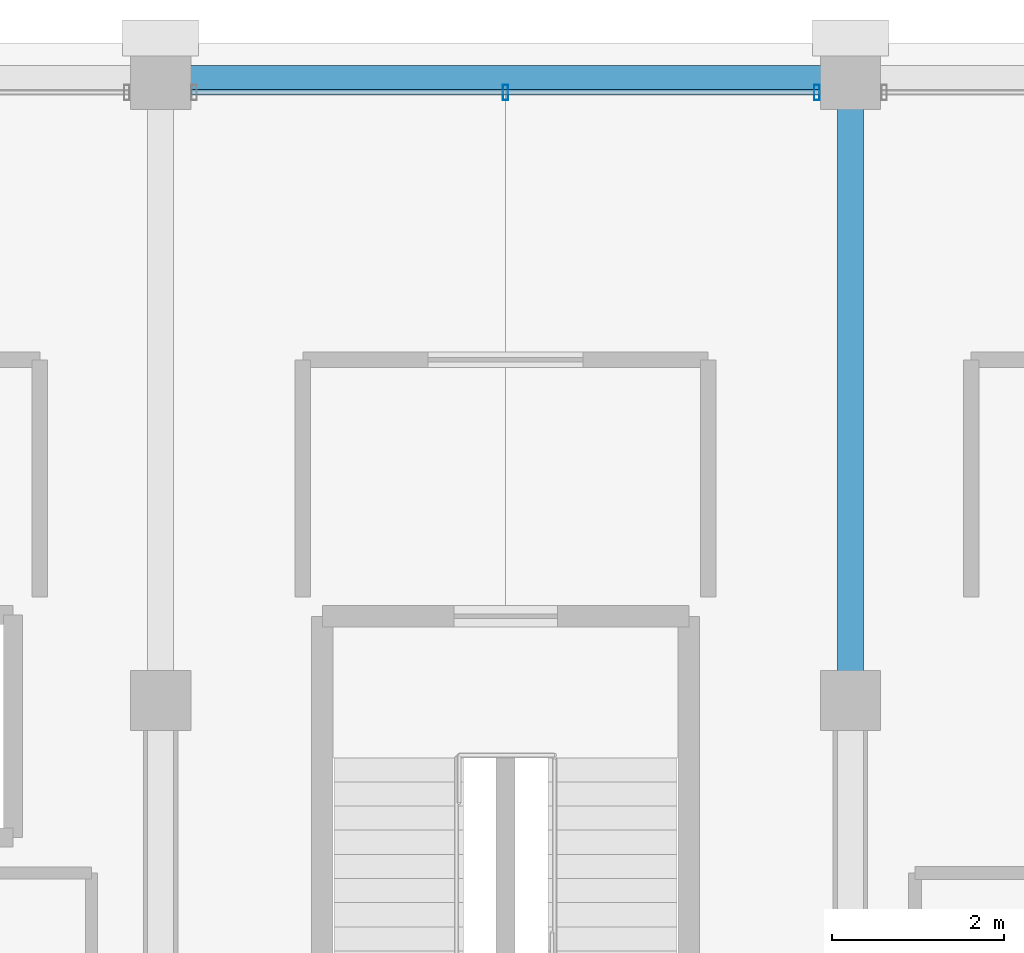
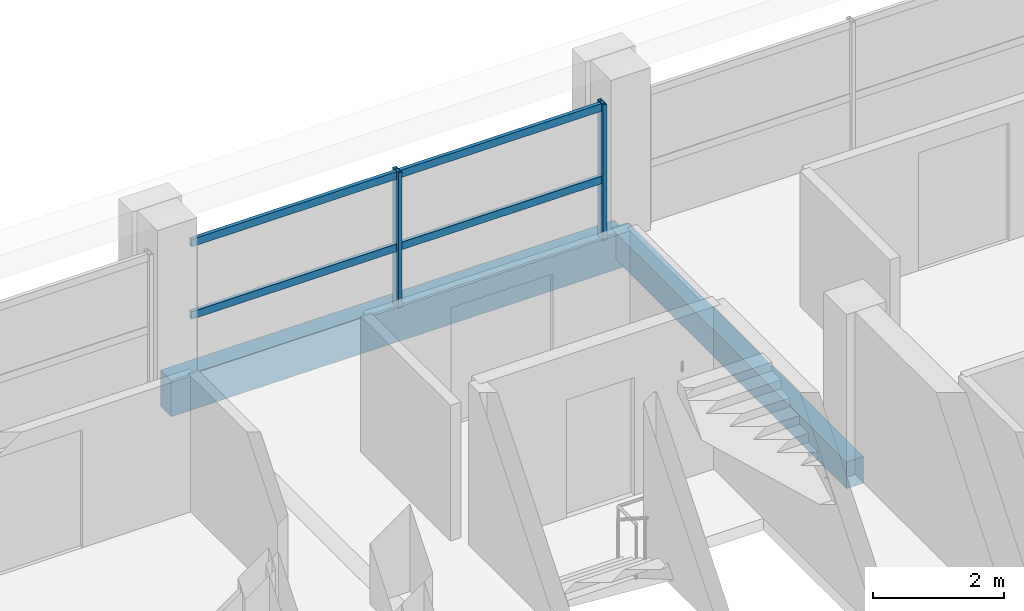
# One storey, part 13 of 21: 4 members, 2 beams, 1 element without a shape of its own.
"""IFC4 building model written with IfcOpenShell, lengths in metres."""

from ifc_helpers import new_model, si_unit, direction, frame, origin, origin_2d, place, context, subcontext, project, spatial, rectangle, hollow_rectangle, extrude, material, material_profile, profile_set, type_object, element, aggregate, save


model = new_model("IFC4")

# Units and contexts
model_context = context("Model", 3, precision=1e-05, world=origin(), true_north=direction((0.0, 1.0)))
body_context = subcontext(model_context, "Body", "Model", "MODEL_VIEW")
ifc_project = project(units=[si_unit("LENGTHUNIT", "METRE"), si_unit("AREAUNIT", "SQUARE_METRE"), si_unit("VOLUMEUNIT", "CUBIC_METRE"), si_unit("PLANEANGLEUNIT", "RADIAN"), si_unit("MASSUNIT", "GRAM", prefix="KILO")], contexts=[model_context])

# Site, building, storey
site_placement = place(None, origin())
site = spatial("IfcSite", under=ifc_project, at=site_placement, CompositionType="ELEMENT")
building_placement = place(site_placement, origin())
building = spatial("IfcBuilding", under=site, at=building_placement, Name="Akrevak Sports Hall", CompositionType="ELEMENT")
storey_placement = place(building_placement, frame((0.0, 0.0, 53.550048828125)))
storey = spatial("IfcBuildingStorey", under=building, at=storey_placement, Name="L13", CompositionType="ELEMENT", Elevation=53.550048828125)

# Curtain wall, members
ifc_material_1 = material(Name="Anodized Bronze Aluminium & Low-E Glass", Category="aluminium")
curtain_wall_type = type_object("IfcCurtainWallType", Name="ARC-CW-TWR-68x30", PredefinedType="NOTDEFINED", material=ifc_material_1)
curtain_wall_placement = place(storey_placement, origin())
curtain_wall = element("IfcCurtainWall", 1, at=curtain_wall_placement, inside=storey, type_object=curtain_wall_type, Name="Curtain Wall CW-L13-N20", PredefinedType="NOTDEFINED")
ifc_material_2 = material(Name="Anodized Bronze Aluminium", Category="aluminium")
ifc_material_profile_1 = material_profile(ifc_material_2, hollow_rectangle(XDim=0.06494140625, YDim=0.179931640625, WallThickness=0.00390625, at=origin_2d()), Name="CWM 65x180", Category="aluminium")
ifc_profile_set_1 = profile_set([ifc_material_profile_1], Name="Anodized Bronze Aluminium")
member_type_1 = type_object("IfcMemberType", Name="ARC-CWM-65x140", PredefinedType="MULLION", material=ifc_profile_set_1)
member_1_placement = place(storey_placement, frame((83.610107421875, 69.449951171875, 0.0), z_axis=(0.0, 0.0, 1.0), x_axis=(-1.0, 0.0, 0.0)))
member_1 = element("IfcMember", 2, at=member_1_placement, type_object=member_type_1, Name="Curtain Wall Mullion CW-L13-N20-M1", PredefinedType="MULLION", context=body_context, shape_type="SweptSolid", body=[
    extrude(hollow_rectangle(XDim=0.06494140625, YDim=0.179931640625, WallThickness=0.00390625, at=origin_2d()), origin(), (0.0, 0.0, 1.0), 2.530029296875),
])
member_2_placement = place(storey_placement, frame((80.0, 69.449951171875, 0.0), z_axis=(0.0, 0.0, 1.0), x_axis=(-1.0, 0.0, 0.0)))
member_2 = element("IfcMember", 3, at=member_2_placement, type_object=member_type_1, Name="Curtain Wall Mullion CW-L13-N20-M2", PredefinedType="MULLION", context=body_context, shape_type="SweptSolid", body=[
    extrude(hollow_rectangle(XDim=0.06494140625, YDim=0.179931640625, WallThickness=0.00390625, at=origin_2d()), origin(), (0.0, 0.0, 1.0), 2.530029296875),
])
ifc_material_profile_2 = material_profile(ifc_material_2, hollow_rectangle(XDim=0.06494140625, YDim=0.139892578125, WallThickness=0.00390625, at=origin_2d()), Name="CWT 65x140", Category="aluminium")
ifc_profile_set_2 = profile_set([ifc_material_profile_2], Name="Anodized Bronze Aluminium")
member_type_2 = type_object("IfcMemberType", Name="ARC-CWT-65x110", PredefinedType="USERDEFINED", material=ifc_profile_set_2)
member_3_placement = place(storey_placement, frame((83.64990234375, 69.449951171875, 1.099853515625), z_axis=(-1.0, 0.0, 0.0), x_axis=(0.0, -1.0, 0.0)))
member_3 = element("IfcMember", 4, at=member_3_placement, type_object=member_type_2, Name="Curtain Wall Transom CW-L13-N20-T1", ObjectType="TRANSOM", PredefinedType="USERDEFINED", context=body_context, shape_type="SweptSolid", body=[
    extrude(hollow_rectangle(XDim=0.06494140625, YDim=0.139892578125, WallThickness=0.00390625, at=origin_2d()), origin(), (0.0, 0.0, 1.0), 7.2998046875),
])
member_4_placement = place(storey_placement, frame((83.64990234375, 69.449951171875, 2.449951171875), z_axis=(-1.0, 0.0, 0.0), x_axis=(0.0, -1.0, 0.0)))
member_4 = element("IfcMember", 5, at=member_4_placement, type_object=member_type_2, Name="Curtain Wall Transom CW-L13-N20-T2", ObjectType="TRANSOM", PredefinedType="USERDEFINED", context=body_context, shape_type="SweptSolid", body=[
    extrude(hollow_rectangle(XDim=0.06494140625, YDim=0.139892578125, WallThickness=0.00390625, at=origin_2d()), origin(), (0.0, 0.0, 1.0), 7.2998046875),
])
aggregate(curtain_wall, [member_1, member_2, member_3, member_4])

# Beams
ifc_material_3 = material(Name="Concrete C40/50", Category="concrete")
ifc_material_profile_3 = material_profile(ifc_material_3, rectangle(XDim=0.300048828125, YDim=0.5, at=origin_2d()), Name="BM 300x500", Category="concrete")
ifc_profile_set_3 = profile_set([ifc_material_profile_3], Name="Concrete C40/50")
beam_type_1 = type_object("IfcBeamType", Name="STR-BM-RC300x500", PredefinedType="BEAM", material=ifc_profile_set_3)
beam_1_placement = place(storey_placement, frame((84.0, 62.39990234375, -0.25), z_axis=(0.0, 1.0, 0.0), x_axis=(-1.0, 0.0, 0.0)))
element("IfcBeam", 6, at=beam_1_placement, inside=storey, type_object=beam_type_1, Name="Girder 12/J-K (L13)", PredefinedType="BEAM", context=body_context, shape_type="SweptSolid", body=[
    extrude(rectangle(XDim=0.300048828125, YDim=0.5, at=origin_2d()), origin(), (0.0, 0.0, 1.0), 7.2001953125),
])
ifc_material_profile_4 = material_profile(ifc_material_3, rectangle(XDim=0.320068359375, YDim=0.679931640625, at=origin_2d()), Name="SPD 320x680", Category="concrete")
ifc_profile_set_4 = profile_set([ifc_material_profile_4], Name="Concrete C40/50")
beam_type_2 = type_object("IfcBeamType", Name="STR-SPD-RC320x680", PredefinedType="SPANDREL", material=ifc_profile_set_4)
beam_2_placement = place(storey_placement, frame((76.0, 69.60009765625, -0.340087890625), z_axis=(1.0, 0.0, 0.0), x_axis=(0.0, 1.0, 0.0)))
element("IfcBeam", 7, at=beam_2_placement, inside=storey, type_object=beam_type_2, Name="Girder K/11-12 (L13)", PredefinedType="SPANDREL", context=body_context, shape_type="SweptSolid", body=[
    extrude(rectangle(XDim=0.320068359375, YDim=0.679931640625, at=origin_2d()), origin(), (0.0, 0.0, 1.0), 8.0),
])

save(model, "model.ifc")
